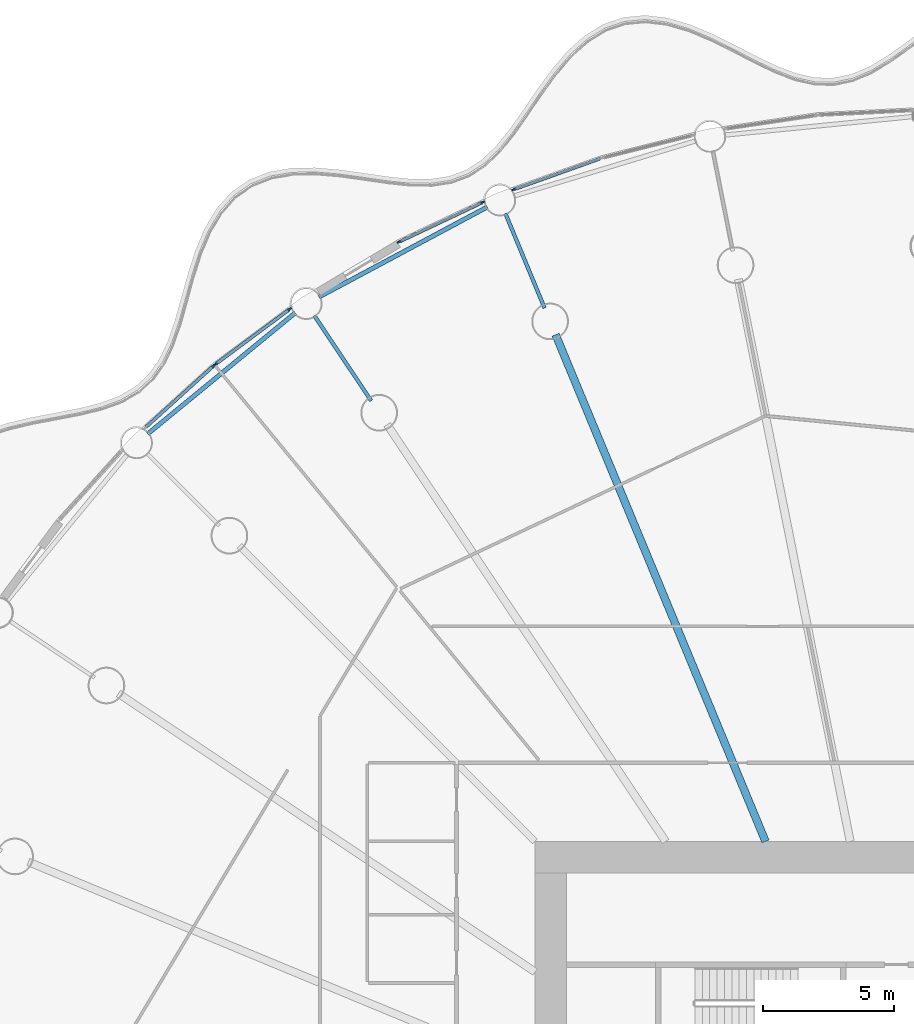
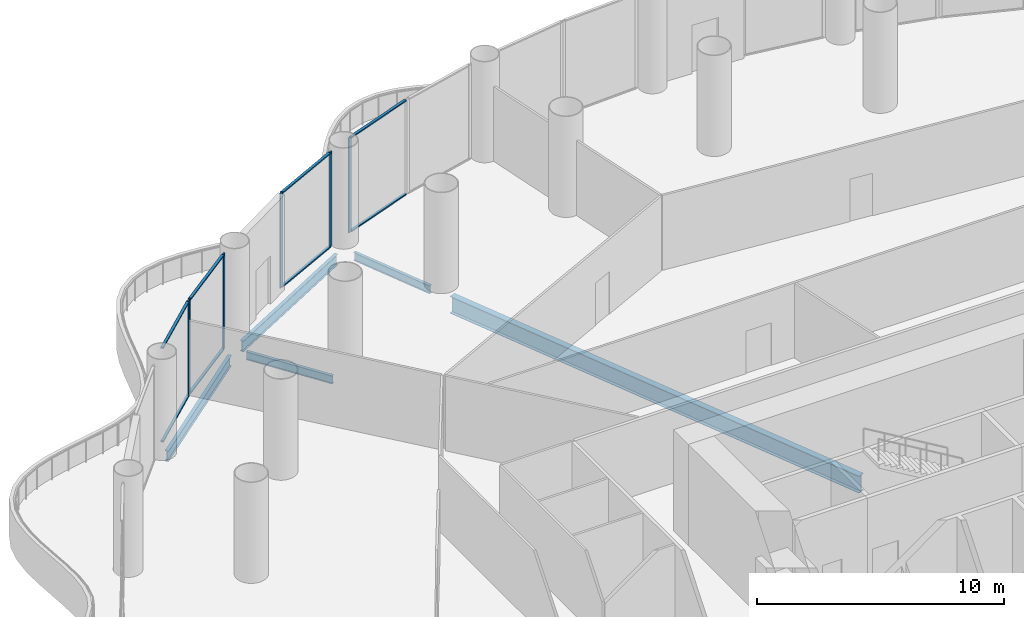
# One storey, part 15 of 35: 14 members, 5 beams, 4 elements without a shape of their own.
"""IFC4 building model written with IfcOpenShell, lengths in metres."""

from ifc_helpers import new_model, si_unit, direction, frame, origin, origin_2d, place, context, subcontext, project, spatial, rectangle, i_section, extrude, material, material_profile, profile_set, type_object, element, aggregate, save


model = new_model("IFC4")

# Units and contexts
model_context = context("Model", 3, precision=1e-05, world=origin(), true_north=direction((0.0, 1.0)))
body_context = subcontext(model_context, "Body", "Model", "MODEL_VIEW")
ifc_project = project(units=[si_unit("LENGTHUNIT", "METRE"), si_unit("AREAUNIT", "SQUARE_METRE"), si_unit("VOLUMEUNIT", "CUBIC_METRE"), si_unit("PLANEANGLEUNIT", "RADIAN"), si_unit("MASSUNIT", "GRAM", prefix="KILO")], contexts=[model_context])

# Site, building, storey
site_placement = place(None, origin())
site = spatial("IfcSite", under=ifc_project, at=site_placement, CompositionType="ELEMENT")
building_placement = place(site_placement, origin())
building = spatial("IfcBuilding", under=site, at=building_placement, Name="Corvane Civic Tower", CompositionType="ELEMENT")
storey_placement = place(building_placement, frame((0.0, 0.0, 22.0)))
storey = spatial("IfcBuildingStorey", under=building, at=storey_placement, Name="L04", CompositionType="ELEMENT", Elevation=22.0)

# Beams
ifc_material_1 = material(Name="Steel ASTM A992 Gr 50", Category="steel")
ifc_material_profile_1 = material_profile(ifc_material_1, i_section(OverallWidth=0.165771484375, OverallDepth=0.5283203125, WebThickness=0.009765625, FlangeThickness=0.013671875, at=origin_2d()), Name="W21X50")
ifc_profile_set_1 = profile_set([ifc_material_profile_1], Name="Steel ASTM A992 Gr 50")
beam_type_1 = type_object("IfcBeamType", Name="EDGE BEAM W21X50", PredefinedType="BEAM", material=ifc_profile_set_1)
for number, where, z_axis, x_axis, name in (
    (1, (-29.768310546875, 30.542236328125, -0.564208984375), (0.773007924807, 0.634396365205, 0.0), (-0.634396365205, 0.773007924807, 0.0), "BM-L04-E29"),
    (2, (-23.23779296875, 35.762939453125, -0.564208984375), (0.881912894916, 0.471412394598, 0.0), (-0.471412394598, 0.881912894916, 0.0), "BM-L04-E30"),
):
    element("IfcBeam", number, at=place(storey_placement, frame(where, z_axis=z_axis, x_axis=x_axis)), inside=storey, type_object=beam_type_1, Name=name, PredefinedType="BEAM", context=body_context, shape_type="SweptSolid", body=[
        extrude(i_section(OverallWidth=0.165771484375, OverallDepth=0.5283203125, WebThickness=0.009765625, FlangeThickness=0.013671875, at=origin_2d()), origin(), (0.0, 0.0, 1.0), 7.270751953125),
    ])
ifc_material_2 = material(Name="Steel ASTM A992 Gr 50", Category="steel")
ifc_material_profile_2 = material_profile(ifc_material_2, i_section(OverallWidth=0.140380859375, OverallDepth=0.40380859375, WebThickness=0.007080078125, FlangeThickness=0.01123046875, at=origin_2d()), Name="W16X31")
ifc_profile_set_2 = profile_set([ifc_material_profile_2], Name="Steel ASTM A992 Gr 50")
beam_type_2 = type_object("IfcBeamType", Name="FLOOR GIRDER W16X31", PredefinedType="BEAM", material=ifc_profile_set_2)
for number, where, z_axis, x_axis, name in (
    (3, (-21.25048828125, 31.8037109375, -0.501953125), (-0.555581110199, 0.831462344301, 0.0), (-0.831462344301, -0.555581110199, 0.0), "BM-L04-G30b"),
    (4, (-14.6376953125, 35.33837890625, -0.501953125), (-0.382685369162, 0.923878730261, 0.0), (-0.923878730261, -0.382685369162, 0.0), "BM-L04-G31b"),
):
    element("IfcBeam", number, at=place(storey_placement, frame(where, z_axis=z_axis, x_axis=x_axis)), inside=storey, type_object=beam_type_2, Name=name, PredefinedType="BEAM", context=body_context, shape_type="SweptSolid", body=[
        extrude(i_section(OverallWidth=0.140380859375, OverallDepth=0.40380859375, WebThickness=0.007080078125, FlangeThickness=0.01123046875, at=origin_2d()), origin(), (0.0, 0.0, 1.0), 3.89990234375),
    ])
ifc_material_3 = material(Name="Steel ASTM A992 Gr 50", Category="steel")
ifc_material_profile_3 = material_profile(ifc_material_3, i_section(OverallWidth=0.2919921875, OverallDepth=0.845703125, WebThickness=0.015380859375, FlangeThickness=0.0244140625, at=origin_2d()), Name="W33X141")
ifc_profile_set_3 = profile_set([ifc_material_profile_3], Name="Steel ASTM A992 Gr 50")
beam_type_3 = type_object("IfcBeamType", Name="FLOOR GIRDER W33X141", PredefinedType="BEAM", material=ifc_profile_set_3)
beam_placement = place(storey_placement, frame((-6.213134765625, 15.0, -0.722900390625), z_axis=(-0.382692360381, 0.923875834355, 0.0), x_axis=(-0.923875834355, -0.382692360381, 0.0)))
element("IfcBeam", 5, at=beam_placement, inside=storey, type_object=beam_type_3, Name="BM-L04-G31", PredefinedType="BEAM", context=body_context, shape_type="SweptSolid", body=[
    extrude(i_section(OverallWidth=0.2919921875, OverallDepth=0.845703125, WebThickness=0.015380859375, FlangeThickness=0.0244140625, at=origin_2d()), origin(), (0.0, 0.0, 1.0), 20.9140625),
])

# Curtain wall, member
ifc_material_4 = material(Name="Aluminium and glass", Category="aluminium")
curtain_wall_type = type_object("IfcCurtainWallType", Name="PODIUM-CW-P-RUN", PredefinedType="NOTDEFINED", material=ifc_material_4)
curtain_wall_1_placement = place(storey_placement, origin())
curtain_wall_1 = element("IfcCurtainWall", 6, at=curtain_wall_1_placement, inside=storey, type_object=curtain_wall_type, Name="PODI run L04-drum-29A", PredefinedType="NOTDEFINED")
ifc_material_5 = material(Name="Anodised aluminium bronze", Category="aluminium")
ifc_material_profile_4 = material_profile(ifc_material_5, rectangle(XDim=0.06005859375, YDim=0.159912109375, at=origin_2d()), Name="AL 60x160")
ifc_profile_set_4 = profile_set([ifc_material_profile_4], Name="Anodised aluminium bronze")
member_type_1 = type_object("IfcMemberType", Name="PODIUM-CWP-MULLION-60x160", PredefinedType="MULLION", material=ifc_profile_set_4)
member_1_placement = place(storey_placement, frame((-27.25537109375, 33.13916015625, 0.0), z_axis=(0.0, 0.0, 1.0), x_axis=(-0.671576457952, 0.740935261089, 0.0)))
member_1 = element("IfcMember", 7, at=member_1_placement, type_object=member_type_1, Name="CW-P mullion 2", PredefinedType="MULLION", context=body_context, shape_type="SweptSolid", body=[
    extrude(rectangle(XDim=0.06005859375, YDim=0.159912109375, at=origin_2d()), origin(), (0.0, 0.0, 1.0), 4.699951171875),
])

# Curtain wall, members
curtain_wall_2_placement = place(storey_placement, origin())
curtain_wall_2 = element("IfcCurtainWall", 8, at=curtain_wall_2_placement, inside=storey, type_object=curtain_wall_type, Name="PODI run L04-drum-29B", PredefinedType="NOTDEFINED")
member_2_placement = place(storey_placement, frame((-27.18505859375, 33.197021484375, 0.0), z_axis=(0.0, 0.0, 1.0), x_axis=(-0.595705104665, 0.803203229747, 0.0)))
member_2 = element("IfcMember", 9, at=member_2_placement, type_object=member_type_1, Name="CW-P mullion 1", PredefinedType="MULLION", context=body_context, shape_type="SweptSolid", body=[
    extrude(rectangle(XDim=0.06005859375, YDim=0.159912109375, at=origin_2d()), origin(), (0.0, 0.0, 1.0), 4.699951171875),
])
member_3_placement = place(storey_placement, frame((-24.35791015625, 35.293701171875, 0.0), z_axis=(0.0, 0.0, 1.0), x_axis=(-0.595705104665, 0.803203229747, 0.0)))
member_3 = element("IfcMember", 10, at=member_3_placement, type_object=member_type_1, Name="CW-P mullion 2", PredefinedType="MULLION", context=body_context, shape_type="SweptSolid", body=[
    extrude(rectangle(XDim=0.06005859375, YDim=0.159912109375, at=origin_2d()), origin(), (0.0, 0.0, 1.0), 4.699951171875),
])

curtain_wall_3_placement = place(storey_placement, origin())
curtain_wall_3 = element("IfcCurtainWall", 11, at=curtain_wall_3_placement, inside=storey, type_object=curtain_wall_type, Name="PODI run L04-drum-30B", PredefinedType="NOTDEFINED")
member_4_placement = place(storey_placement, frame((-20.186279296875, 37.862548828125, 0.0), z_axis=(0.0, 0.0, 1.0), x_axis=(-0.42755312852, 0.903990222454, 0.0)))
member_4 = element("IfcMember", 12, at=member_4_placement, type_object=member_type_1, Name="CW-P mullion 1", PredefinedType="MULLION", context=body_context, shape_type="SweptSolid", body=[
    extrude(rectangle(XDim=0.06005859375, YDim=0.159912109375, at=origin_2d()), origin(), (0.0, 0.0, 1.0), 4.699951171875),
])
member_5_placement = place(storey_placement, frame((-17.00439453125, 39.36767578125, 0.0), z_axis=(0.0, 0.0, 1.0), x_axis=(-0.42755312852, 0.903990222454, 0.0)))
member_5 = element("IfcMember", 13, at=member_5_placement, type_object=member_type_1, Name="CW-P mullion 2", PredefinedType="MULLION", context=body_context, shape_type="SweptSolid", body=[
    extrude(rectangle(XDim=0.06005859375, YDim=0.159912109375, at=origin_2d()), origin(), (0.0, 0.0, 1.0), 4.699951171875),
])

# Curtain wall, member
curtain_wall_4_placement = place(storey_placement, origin())
curtain_wall_4 = element("IfcCurtainWall", 14, at=curtain_wall_4_placement, inside=storey, type_object=curtain_wall_type, Name="PODI run L04-drum-31A", PredefinedType="NOTDEFINED")
member_6_placement = place(storey_placement, frame((-15.81298828125, 39.861083984375, 0.0), z_axis=(0.0, 0.0, 1.0), x_axis=(-0.336918534123, 0.941533802561, 0.0)))
member_6 = element("IfcMember", 15, at=member_6_placement, type_object=member_type_1, Name="CW-P mullion 1", PredefinedType="MULLION", context=body_context, shape_type="SweptSolid", body=[
    extrude(rectangle(XDim=0.06005859375, YDim=0.159912109375, at=origin_2d()), origin(), (0.0, 0.0, 1.0), 4.699951171875),
])

# Member
ifc_material_6 = material(Name="Anodised aluminium bronze", Category="aluminium")
ifc_material_profile_5 = material_profile(ifc_material_6, rectangle(XDim=0.1201171875, YDim=0.06005859375, at=origin_2d()), Name="AL 120x60")
ifc_profile_set_5 = profile_set([ifc_material_profile_5], Name="Anodised aluminium bronze")
member_type_2 = type_object("IfcMemberType", Name="PODIUM-CWP-TRANSOM-60x120", PredefinedType="USERDEFINED", material=ifc_profile_set_5)
member_7_placement = place(storey_placement, frame((-29.84130859375, 30.79541015625, 0.030029296875), z_axis=(0.740935382865, 0.671576323599, 0.0), x_axis=(-0.671576323599, 0.740935382865, 0.0)))
member_7 = element("IfcMember", 16, at=member_7_placement, type_object=member_type_2, Name="CW-P transom 1.1", ObjectType="TRANSOM", PredefinedType="USERDEFINED", context=body_context, shape_type="SweptSolid", body=[
    extrude(rectangle(XDim=0.1201171875, YDim=0.06005859375, at=origin_2d()), origin(), (0.0, 0.0, 1.0), 3.460205078125),
])

member_8_placement = place(storey_placement, frame((-29.84130859375, 30.79541015625, 4.669921875), z_axis=(0.740935382865, 0.671576323599, 0.0), x_axis=(-0.671576323599, 0.740935382865, 0.0)))
member_8 = element("IfcMember", 17, at=member_8_placement, type_object=member_type_2, Name="CW-P transom 1.2", ObjectType="TRANSOM", PredefinedType="USERDEFINED", context=body_context, shape_type="SweptSolid", body=[
    extrude(rectangle(XDim=0.1201171875, YDim=0.06005859375, at=origin_2d()), origin(), (0.0, 0.0, 1.0), 3.460205078125),
])

aggregate(curtain_wall_1, [member_1, member_7, member_8])

member_9_placement = place(storey_placement, frame((-27.160888671875, 33.21484375, 0.030029296875), z_axis=(0.803189518598, 0.595723591285, 0.0), x_axis=(-0.595723591285, 0.803189518598, 0.0)))
member_9 = element("IfcMember", 18, at=member_9_placement, type_object=member_type_2, Name="CW-P transom 1.1", ObjectType="TRANSOM", PredefinedType="USERDEFINED", context=body_context, shape_type="SweptSolid", body=[
    extrude(rectangle(XDim=0.1201171875, YDim=0.06005859375, at=origin_2d()), origin(), (0.0, 0.0, 1.0), 3.459716796875),
])

member_10_placement = place(storey_placement, frame((-27.160888671875, 33.21484375, 4.669921875), z_axis=(0.803189518598, 0.595723591285, 0.0), x_axis=(-0.595723591285, 0.803189518598, 0.0)))
member_10 = element("IfcMember", 19, at=member_10_placement, type_object=member_type_2, Name="CW-P transom 1.2", ObjectType="TRANSOM", PredefinedType="USERDEFINED", context=body_context, shape_type="SweptSolid", body=[
    extrude(rectangle(XDim=0.1201171875, YDim=0.06005859375, at=origin_2d()), origin(), (0.0, 0.0, 1.0), 3.459716796875),
])

aggregate(curtain_wall_2, [member_2, member_3, member_9, member_10])

member_11_placement = place(storey_placement, frame((-20.1591796875, 37.87548828125, 0.030029296875), z_axis=(0.903993431638, 0.427546343166, 0.0), x_axis=(-0.427546343166, 0.903993431638, 0.0)))
member_11 = element("IfcMember", 20, at=member_11_placement, type_object=member_type_2, Name="CW-P transom 1.1", ObjectType="TRANSOM", PredefinedType="USERDEFINED", context=body_context, shape_type="SweptSolid", body=[
    extrude(rectangle(XDim=0.1201171875, YDim=0.06005859375, at=origin_2d()), origin(), (0.0, 0.0, 1.0), 3.4599609375),
])

member_12_placement = place(storey_placement, frame((-20.1591796875, 37.87548828125, 4.669921875), z_axis=(0.903993431638, 0.427546343166, 0.0), x_axis=(-0.427546343166, 0.903993431638, 0.0)))
member_12 = element("IfcMember", 21, at=member_12_placement, type_object=member_type_2, Name="CW-P transom 1.2", ObjectType="TRANSOM", PredefinedType="USERDEFINED", context=body_context, shape_type="SweptSolid", body=[
    extrude(rectangle(XDim=0.1201171875, YDim=0.06005859375, at=origin_2d()), origin(), (0.0, 0.0, 1.0), 3.4599609375),
])

aggregate(curtain_wall_3, [member_4, member_5, member_11, member_12])

member_13_placement = place(storey_placement, frame((-15.78466796875, 39.87109375, 0.030029296875), z_axis=(0.941526196838, 0.336939787896, 0.0), x_axis=(-0.336939787896, 0.941526196838, 0.0)))
member_13 = element("IfcMember", 22, at=member_13_placement, type_object=member_type_2, Name="CW-P transom 1.1", ObjectType="TRANSOM", PredefinedType="USERDEFINED", context=body_context, shape_type="SweptSolid", body=[
    extrude(rectangle(XDim=0.1201171875, YDim=0.06005859375, at=origin_2d()), origin(), (0.0, 0.0, 1.0), 3.4599609375),
])

member_14_placement = place(storey_placement, frame((-15.78466796875, 39.87109375, 4.669921875), z_axis=(0.941526196838, 0.336939787896, 0.0), x_axis=(-0.336939787896, 0.941526196838, 0.0)))
member_14 = element("IfcMember", 23, at=member_14_placement, type_object=member_type_2, Name="CW-P transom 1.2", ObjectType="TRANSOM", PredefinedType="USERDEFINED", context=body_context, shape_type="SweptSolid", body=[
    extrude(rectangle(XDim=0.1201171875, YDim=0.06005859375, at=origin_2d()), origin(), (0.0, 0.0, 1.0), 3.4599609375),
])

aggregate(curtain_wall_4, [member_6, member_13, member_14])

save(model, "model.ifc")
